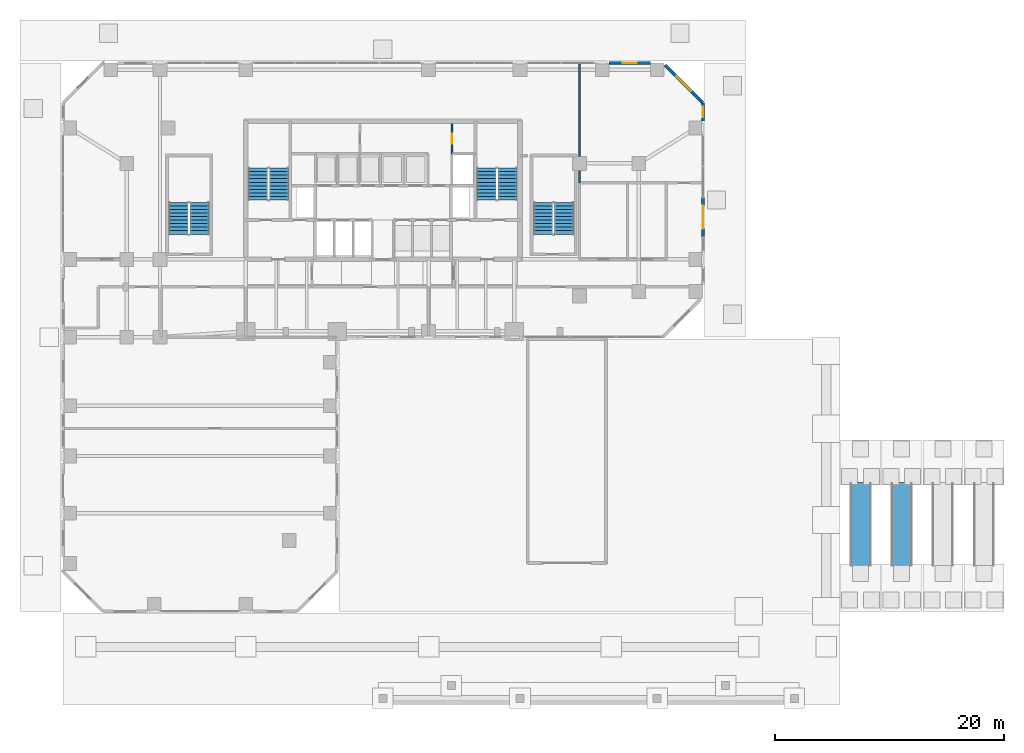
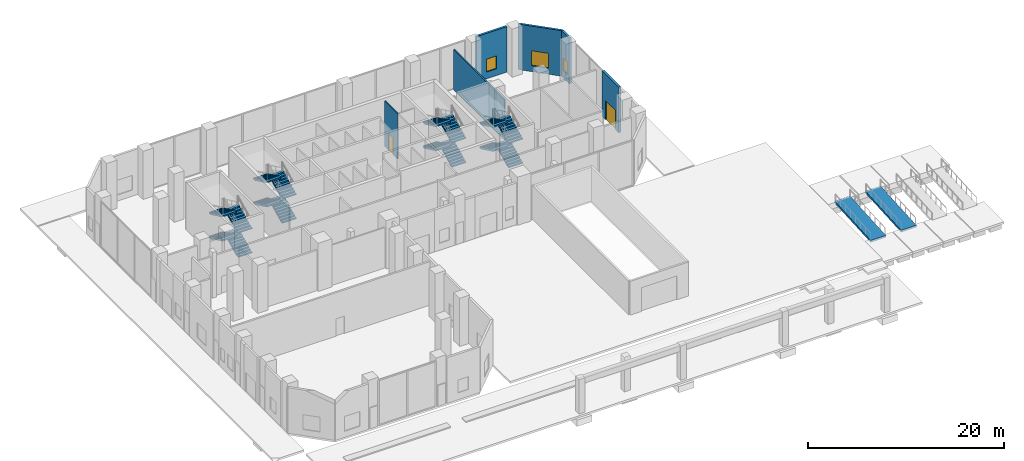
# One storey, part 20 of 26: 16 stair flights, 6 walls, 3 windows, 2 doors, 2 ramp flights, 5 openings, 6 elements without a shape of their own.
"""IFC4 building model written with IfcOpenShell, lengths in metres."""

from ifc_helpers import new_model, si_unit, direction, frame, frame_2d, origin, place, context, subcontext, project, spatial, polyline, rectangle, outline, extrude, material, layer, layer_set, type_object, element, fill, aggregate, save


model = new_model("IFC4")

# Units and contexts
model_context = context("Model", 3, precision=1e-05, world=origin(), true_north=direction((0.0, 1.0)))
body_context = subcontext(model_context, "Body", "Model", "MODEL_VIEW")
ifc_project = project(units=[si_unit("LENGTHUNIT", "METRE"), si_unit("AREAUNIT", "SQUARE_METRE"), si_unit("VOLUMEUNIT", "CUBIC_METRE"), si_unit("PLANEANGLEUNIT", "RADIAN"), si_unit("MASSUNIT", "GRAM", prefix="KILO")], contexts=[model_context])

# Site, building, storey
site_placement = place(None, origin())
site = spatial("IfcSite", under=ifc_project, at=site_placement, CompositionType="ELEMENT")
building_placement = place(site_placement, origin())
building = spatial("IfcBuilding", under=site, at=building_placement, Name="Catumbela Crestline Tower", CompositionType="ELEMENT")
storey_placement = place(building_placement, origin())
storey = spatial("IfcBuildingStorey", under=building, at=storey_placement, Name="L00", CompositionType="ELEMENT", Elevation=0.0)

# Wall, opening, door
ifc_material_1 = material(Name="Angolan grey-ochre granite", Category="masonry")
ifc_layer_1 = layer(ifc_material_1, 0.25, Name="Angolan grey-ochre granite")
ifc_layer_set_1 = layer_set([ifc_layer_1], Name="Angolan grey-ochre granite")
wall_type_1 = type_object("IfcWallType", Name="WE-250", PredefinedType="STANDARD", material=ifc_layer_set_1)
wall_1_placement = place(storey_placement, frame((56.0, 36.2, 0.0), z_axis=(0.0, 0.0, 1.0), x_axis=(0.0, -1.0, 0.0)))
wall_1 = element("IfcWall", 1, at=wall_1_placement, inside=storey, type_object=wall_type_1, Name="L00 Exterior Threshold Portal Wall DR-L00-EXIT-E", PredefinedType="STANDARD", context=body_context, shape_type="SweptSolid", body=[
    extrude(rectangle(XDim=3.4, YDim=0.25, at=frame_2d((1.7, 0.0))), origin(), (0.0, 0.0, 1.0), 5.67),
])
opening_1_placement = place(wall_1_placement, frame((0.7, 0.0, 0.0)))
opening_1 = element("IfcOpeningElement", 2, at=opening_1_placement, cuts=wall_1, Name="Opening DE-04", PredefinedType="OPENING", context=body_context, shape_type="SweptSolid", body=[
    extrude(rectangle(XDim=2.0, YDim=2.4, at=frame_2d((1.0, 1.2))), frame((0.0, 0.135, 0.0), z_axis=(0.0, -1.0, 0.0), x_axis=(1.0, 0.0, 0.0)), (0.0, 0.0, 1.0), 0.27),
])
ifc_material_2 = material(Name="Aluminium alloy AW-6060-T66", Category="aluminium")
door_type_1 = type_object("IfcDoorType", Name="DE-2000", OperationType="NOTDEFINED", PredefinedType="DOOR", material=ifc_material_2)
door_1_placement = place(opening_1_placement, origin())
door_1 = element("IfcDoor", 3, at=door_1_placement, inside=storey, type_object=door_type_1, Name="L00 East Galleria Final Exit Door", OperationType="DOUBLE_DOOR_SINGLE_SWING", OverallHeight=2.4, OverallWidth=2.0, PredefinedType="DOOR", context=body_context, shape_type="SweptSolid", body=[
    extrude(rectangle(XDim=2.0, YDim=2.4, at=frame_2d((1.0, 1.2))), frame((0.0, 0.025, 0.0), z_axis=(0.0, -1.0, 0.0), x_axis=(1.0, 0.0, 0.0)), (0.0, 0.0, 1.0), 0.05),
])
fill(opening_1, door_1)

# Wall, opening, window
wall_2_placement = place(storey_placement, frame((56.0, 42.9, 0.0), z_axis=(0.0, 0.0, 1.0), x_axis=(0.0, 1.0, 0.0)))
wall_2 = element("IfcWall", 4, at=wall_2_placement, inside=storey, type_object=wall_type_1, Name="L00 Granite Punched Window Wall 5-4", PredefinedType="STANDARD", context=body_context, shape_type="SweptSolid", body=[
    extrude(rectangle(XDim=1.6, YDim=0.25, at=frame_2d((0.8, 0.0))), origin(), (0.0, 0.0, 1.0), 5.67),
])
opening_2_placement = place(wall_2_placement, frame((0.35, 0.0, 0.9)))
opening_2 = element("IfcOpeningElement", 5, at=opening_2_placement, cuts=wall_2, Name="Opening WN-03", PredefinedType="OPENING", context=body_context, shape_type="SweptSolid", body=[
    extrude(rectangle(XDim=0.9, YDim=1.55, at=frame_2d((0.45, 0.775))), frame((0.0, 0.135, 0.0), z_axis=(0.0, -1.0, 0.0), x_axis=(1.0, 0.0, 0.0)), (0.0, 0.0, 1.0), 0.27),
])
ifc_material_3 = material(Name="Low-E laminated solar-control double glazing", Category="glass")
window_type_1 = type_object("IfcWindowType", Name="WO-0900", PartitioningType="SINGLE_PANEL", PredefinedType="WINDOW", material=ifc_material_3)
window_1_placement = place(opening_2_placement, origin())
window_1 = element("IfcWindow", 6, at=window_1_placement, inside=storey, type_object=window_type_1, Name="L00 Facade Vision Window 14", OverallHeight=1.55, OverallWidth=0.9, PartitioningType="SINGLE_PANEL", PredefinedType="WINDOW", context=body_context, shape_type="SweptSolid", body=[
    extrude(rectangle(XDim=0.9, YDim=1.55, at=frame_2d((0.45, 0.775))), frame((0.0, 0.03, 0.0), z_axis=(0.0, -1.0, 0.0), x_axis=(1.0, 0.0, 0.0)), (0.0, 0.0, 1.0), 0.06),
])
fill(opening_2, window_1)

wall_3_placement = place(storey_placement, frame((56.0, 44.5, 0.0), z_axis=(0.0, 0.0, 1.0), x_axis=(-0.707106781187, 0.707106781187, 0.0)))
wall_3 = element("IfcWall", 7, at=wall_3_placement, inside=storey, type_object=wall_type_1, Name="L00 Granite Punched Window Wall 6-1", PredefinedType="STANDARD", context=body_context, shape_type="SweptSolid", body=[
    extrude(rectangle(XDim=4.6833, YDim=0.25, at=frame_2d((2.3416, 0.0))), origin(), (0.0, 0.0, 1.0), 5.67),
])
opening_3_placement = place(wall_3_placement, frame((1.4417, 0.0, 0.75)))
opening_3 = element("IfcOpeningElement", 8, at=opening_3_placement, cuts=wall_3, Name="Opening WN-01", PredefinedType="OPENING", context=body_context, shape_type="SweptSolid", body=[
    extrude(rectangle(XDim=1.8, YDim=1.85, at=frame_2d((0.9, 0.925))), frame((0.0, 0.135, 0.0), z_axis=(0.0, -1.0, 0.0), x_axis=(1.0, 0.0, 0.0)), (0.0, 0.0, 1.0), 0.27),
])
window_type_2 = type_object("IfcWindowType", Name="WF-1800", PartitioningType="SINGLE_PANEL", PredefinedType="WINDOW", material=ifc_material_3)
window_2_placement = place(opening_3_placement, origin())
window_2 = element("IfcWindow", 9, at=window_2_placement, inside=storey, type_object=window_type_2, Name="L00 Facade Vision Window 15", OverallHeight=1.85, OverallWidth=1.8, PartitioningType="SINGLE_PANEL", PredefinedType="WINDOW", context=body_context, shape_type="SweptSolid", body=[
    extrude(rectangle(XDim=1.8, YDim=1.85, at=frame_2d((0.9, 0.925))), frame((0.0, 0.03, 0.0), z_axis=(0.0, -1.0, 0.0), x_axis=(1.0, 0.0, 0.0)), (0.0, 0.0, 1.0), 0.06),
])
fill(opening_3, window_2)

wall_4_placement = place(storey_placement, frame((51.4, 48.0, 0.0), z_axis=(0.0, 0.0, 1.0), x_axis=(-1.0, 0.0, 0.0)))
wall_4 = element("IfcWall", 10, at=wall_4_placement, inside=storey, type_object=wall_type_1, Name="L00 Granite Punched Window Wall 7-1", PredefinedType="STANDARD", context=body_context, shape_type="SweptSolid", body=[
    extrude(rectangle(XDim=3.6, YDim=0.25, at=frame_2d((1.8, 0.0))), origin(), (0.0, 0.0, 1.0), 5.67),
])
opening_4_placement = place(wall_4_placement, frame((1.2, 0.0, 0.85)))
opening_4 = element("IfcOpeningElement", 11, at=opening_4_placement, cuts=wall_4, Name="Opening WN-02", PredefinedType="OPENING", context=body_context, shape_type="SweptSolid", body=[
    extrude(rectangle(XDim=1.2, YDim=1.6, at=frame_2d((0.6, 0.8))), frame((0.0, 0.135, 0.0), z_axis=(0.0, -1.0, 0.0), x_axis=(1.0, 0.0, 0.0)), (0.0, 0.0, 1.0), 0.27),
])
window_type_3 = type_object("IfcWindowType", Name="WO-1200", PartitioningType="SINGLE_PANEL", PredefinedType="WINDOW", material=ifc_material_3)
window_3_placement = place(opening_4_placement, origin())
window_3 = element("IfcWindow", 12, at=window_3_placement, inside=storey, type_object=window_type_3, Name="L00 Facade Vision Window 16", OverallHeight=1.6, OverallWidth=1.2, PartitioningType="SINGLE_PANEL", PredefinedType="WINDOW", context=body_context, shape_type="SweptSolid", body=[
    extrude(rectangle(XDim=1.2, YDim=1.6, at=frame_2d((0.6, 0.8))), frame((0.0, 0.03, 0.0), z_axis=(0.0, -1.0, 0.0), x_axis=(1.0, 0.0, 0.0)), (0.0, 0.0, 1.0), 0.06),
])
fill(opening_4, window_3)

# Wall, opening, door
ifc_material_4 = material(Name="Acoustic gypsum and mineral-wool partition")
ifc_layer_2 = layer(ifc_material_4, 0.15, Name="Acoustic gypsum and mineral-wool partition")
ifc_layer_set_2 = layer_set([ifc_layer_2], Name="Acoustic gypsum and mineral-wool partition")
wall_type_2 = type_object("IfcWallType", Name="WP-150", PredefinedType="PARTITIONING", material=ifc_layer_set_2)
wall_5_placement = place(storey_placement, frame((34.05, 40.05, 0.0), z_axis=(0.0, 0.0, 1.0), x_axis=(0.0, 1.0, 0.0)))
wall_5 = element("IfcWall", 13, at=wall_5_placement, inside=storey, type_object=wall_type_2, Name="L00 Interior Partition PW-L00-CR-EW", PredefinedType="PARTITIONING", context=body_context, shape_type="SweptSolid", body=[
    extrude(rectangle(XDim=2.63, YDim=0.15, at=frame_2d((1.315, 0.0))), origin(), (0.0, 0.0, 1.0), 5.67),
])
opening_5_placement = place(wall_5_placement, frame((0.865, 0.0, 0.0)))
opening_5 = element("IfcOpeningElement", 14, at=opening_5_placement, cuts=wall_5, Name="Opening DF9-090", PredefinedType="OPENING", context=body_context, shape_type="SweptSolid", body=[
    extrude(rectangle(XDim=0.9, YDim=2.15, at=frame_2d((0.45, 1.075))), frame((0.0, 0.085, 0.0), z_axis=(0.0, -1.0, 0.0), x_axis=(1.0, 0.0, 0.0)), (0.0, 0.0, 1.0), 0.17),
])
ifc_material_5 = material(Name="Stainless steel EN 1.4401", Category="steel")
door_type_2 = type_object("IfcDoorType", Name="DF9-090", OperationType="NOTDEFINED", PredefinedType="DOOR", material=ifc_material_5)
door_2_placement = place(opening_5_placement, origin())
door_2 = element("IfcDoor", 15, at=door_2_placement, inside=storey, type_object=door_type_2, Name="L00 Interior Door DR-L00-CREAST", OperationType="SINGLE_SWING_RIGHT", OverallHeight=2.15, OverallWidth=0.9, PredefinedType="DOOR", context=body_context, shape_type="SweptSolid", body=[
    extrude(rectangle(XDim=0.9, YDim=2.15, at=frame_2d((0.45, 1.075))), frame((0.0, 0.025, 0.0), z_axis=(0.0, -1.0, 0.0), x_axis=(1.0, 0.0, 0.0)), (0.0, 0.0, 1.0), 0.05),
])
fill(opening_5, door_2)

# Wall
wall_6_placement = place(storey_placement, frame((45.2, 37.5, 0.0), z_axis=(0.0, 0.0, 1.0), x_axis=(0.0, 1.0, 0.0)))
element("IfcWall", 16, at=wall_6_placement, inside=storey, type_object=wall_type_2, Name="L00 Interior Partition PW-L00-NESVW", PredefinedType="PARTITIONING", context=body_context, shape_type="SweptSolid", body=[
    extrude(rectangle(XDim=10.4, YDim=0.15, at=frame_2d((5.2, 0.0))), origin(), (0.0, 0.0, 1.0), 5.02),
])

# Stair, stair flights
ifc_material_6 = material(Name="Concrete C45/55", Category="concrete")
stair_type = type_object("IfcStairType", Name="ST-DLG", PredefinedType="HALF_TURN_STAIR", material=ifc_material_6)
stair_1_placement = place(storey_placement, origin())
stair_1 = element("IfcStair", 17, at=stair_1_placement, inside=storey, type_object=stair_type, Name="L00 West Core Pressurised Exit Stair ST-01", PredefinedType="HALF_TURN_STAIR")
stair_flight_type = type_object("IfcStairFlightType", Name="SF-1500", PredefinedType="STRAIGHT", material=ifc_material_6)
stair_flight_1_placement = place(storey_placement, frame((18.92, 36.0, 0.0), z_axis=(0.0, 0.0, 1.0), x_axis=(0.0, 1.0, 0.0)))
stair_flight_1 = element("IfcStairFlight", 18, at=stair_flight_1_placement, type_object=stair_flight_type, Name="ST-01 flight 1", NumberOfRisers=10, NumberOfTreads=9, PredefinedType="STRAIGHT", RiserHeight=0.15, TreadLength=0.31, context=body_context, shape_type="SweptSolid", body=[
    extrude(outline(polyline([(0.0, 0.0), (0.0, 0.15), (0.31, 0.15), (0.31, 0.3), (0.62, 0.3), (0.62, 0.45), (0.93, 0.45), (0.93, 0.6), (1.24, 0.6), (1.24, 0.75), (1.55, 0.75), (1.55, 0.9), (1.86, 0.9), (1.86, 1.05), (2.17, 1.05), (2.17, 1.2), (2.48, 1.2), (2.48, 1.35), (2.79, 1.35), (2.79, 1.5), (2.79, 1.1723), (0.3673, 0.0), (0.0, 0.0)])), frame((0.0, 0.83, 0.0), z_axis=(0.0, -1.0, 0.0), x_axis=(1.0, 0.0, 0.0)), (0.0, 0.0, 1.0), 1.66),
])
stair_flight_2_placement = place(storey_placement, frame((17.08, 38.79, 1.5), z_axis=(0.0, 0.0, 1.0), x_axis=(0.0, -1.0, 0.0)))
stair_flight_2 = element("IfcStairFlight", 19, at=stair_flight_2_placement, type_object=stair_flight_type, Name="ST-01 flight 2", NumberOfRisers=10, NumberOfTreads=9, PredefinedType="STRAIGHT", RiserHeight=0.15, TreadLength=0.31, context=body_context, shape_type="SweptSolid", body=[
    extrude(outline(polyline([(0.0, 0.0), (0.0, 0.15), (0.31, 0.15), (0.31, 0.3), (0.62, 0.3), (0.62, 0.45), (0.93, 0.45), (0.93, 0.6), (1.24, 0.6), (1.24, 0.75), (1.55, 0.75), (1.55, 0.9), (1.86, 0.9), (1.86, 1.05), (2.17, 1.05), (2.17, 1.2), (2.48, 1.2), (2.48, 1.35), (2.79, 1.35), (2.79, 1.5), (2.79, 1.1723), (0.3673, 0.0), (0.0, 0.0)])), frame((0.0, 0.83, 0.0), z_axis=(0.0, -1.0, 0.0), x_axis=(1.0, 0.0, 0.0)), (0.0, 0.0, 1.0), 1.66),
])
stair_flight_3_placement = place(storey_placement, frame((18.92, 36.0, 3.0), z_axis=(0.0, 0.0, 1.0), x_axis=(0.0, 1.0, 0.0)))
stair_flight_3 = element("IfcStairFlight", 20, at=stair_flight_3_placement, type_object=stair_flight_type, Name="ST-01 flight 3", NumberOfRisers=10, NumberOfTreads=9, PredefinedType="STRAIGHT", RiserHeight=0.15, TreadLength=0.31, context=body_context, shape_type="SweptSolid", body=[
    extrude(outline(polyline([(0.0, 0.0), (0.0, 0.15), (0.31, 0.15), (0.31, 0.3), (0.62, 0.3), (0.62, 0.45), (0.93, 0.45), (0.93, 0.6), (1.24, 0.6), (1.24, 0.75), (1.55, 0.75), (1.55, 0.9), (1.86, 0.9), (1.86, 1.05), (2.17, 1.05), (2.17, 1.2), (2.48, 1.2), (2.48, 1.35), (2.79, 1.35), (2.79, 1.5), (2.79, 1.1723), (0.3673, 0.0), (0.0, 0.0)])), frame((0.0, 0.83, 0.0), z_axis=(0.0, -1.0, 0.0), x_axis=(1.0, 0.0, 0.0)), (0.0, 0.0, 1.0), 1.66),
])
stair_flight_4_placement = place(storey_placement, frame((17.08, 38.79, 4.5), z_axis=(0.0, 0.0, 1.0), x_axis=(0.0, -1.0, 0.0)))
stair_flight_4 = element("IfcStairFlight", 21, at=stair_flight_4_placement, type_object=stair_flight_type, Name="ST-01 flight 4", NumberOfRisers=10, NumberOfTreads=9, PredefinedType="STRAIGHT", RiserHeight=0.15, TreadLength=0.31, context=body_context, shape_type="SweptSolid", body=[
    extrude(outline(polyline([(0.0, 0.0), (0.0, 0.15), (0.31, 0.15), (0.31, 0.3), (0.62, 0.3), (0.62, 0.45), (0.93, 0.45), (0.93, 0.6), (1.24, 0.6), (1.24, 0.75), (1.55, 0.75), (1.55, 0.9), (1.86, 0.9), (1.86, 1.05), (2.17, 1.05), (2.17, 1.2), (2.48, 1.2), (2.48, 1.35), (2.79, 1.35), (2.79, 1.5), (2.79, 1.1723), (0.3673, 0.0), (0.0, 0.0)])), frame((0.0, 0.83, 0.0), z_axis=(0.0, -1.0, 0.0), x_axis=(1.0, 0.0, 0.0)), (0.0, 0.0, 1.0), 1.66),
])
aggregate(stair_1, [stair_flight_1, stair_flight_2, stair_flight_3, stair_flight_4])

stair_2_placement = place(storey_placement, origin())
stair_2 = element("IfcStair", 22, at=stair_2_placement, inside=storey, type_object=stair_type, Name="L00 East Core Pressurised Exit Stair ST-02", PredefinedType="HALF_TURN_STAIR")
stair_flight_5_placement = place(storey_placement, frame((38.92, 36.0, 0.0), z_axis=(0.0, 0.0, 1.0), x_axis=(0.0, 1.0, 0.0)))
stair_flight_5 = element("IfcStairFlight", 23, at=stair_flight_5_placement, type_object=stair_flight_type, Name="ST-02 flight 1", NumberOfRisers=10, NumberOfTreads=9, PredefinedType="STRAIGHT", RiserHeight=0.15, TreadLength=0.31, context=body_context, shape_type="SweptSolid", body=[
    extrude(outline(polyline([(0.0, 0.0), (0.0, 0.15), (0.31, 0.15), (0.31, 0.3), (0.62, 0.3), (0.62, 0.45), (0.93, 0.45), (0.93, 0.6), (1.24, 0.6), (1.24, 0.75), (1.55, 0.75), (1.55, 0.9), (1.86, 0.9), (1.86, 1.05), (2.17, 1.05), (2.17, 1.2), (2.48, 1.2), (2.48, 1.35), (2.79, 1.35), (2.79, 1.5), (2.79, 1.1723), (0.3673, 0.0), (0.0, 0.0)])), frame((0.0, 0.83, 0.0), z_axis=(0.0, -1.0, 0.0), x_axis=(1.0, 0.0, 0.0)), (0.0, 0.0, 1.0), 1.66),
])
stair_flight_6_placement = place(storey_placement, frame((37.08, 38.79, 1.5), z_axis=(0.0, 0.0, 1.0), x_axis=(0.0, -1.0, 0.0)))
stair_flight_6 = element("IfcStairFlight", 24, at=stair_flight_6_placement, type_object=stair_flight_type, Name="ST-02 flight 2", NumberOfRisers=10, NumberOfTreads=9, PredefinedType="STRAIGHT", RiserHeight=0.15, TreadLength=0.31, context=body_context, shape_type="SweptSolid", body=[
    extrude(outline(polyline([(0.0, 0.0), (0.0, 0.15), (0.31, 0.15), (0.31, 0.3), (0.62, 0.3), (0.62, 0.45), (0.93, 0.45), (0.93, 0.6), (1.24, 0.6), (1.24, 0.75), (1.55, 0.75), (1.55, 0.9), (1.86, 0.9), (1.86, 1.05), (2.17, 1.05), (2.17, 1.2), (2.48, 1.2), (2.48, 1.35), (2.79, 1.35), (2.79, 1.5), (2.79, 1.1723), (0.3673, 0.0), (0.0, 0.0)])), frame((0.0, 0.83, 0.0), z_axis=(0.0, -1.0, 0.0), x_axis=(1.0, 0.0, 0.0)), (0.0, 0.0, 1.0), 1.66),
])
stair_flight_7_placement = place(storey_placement, frame((38.92, 36.0, 3.0), z_axis=(0.0, 0.0, 1.0), x_axis=(0.0, 1.0, 0.0)))
stair_flight_7 = element("IfcStairFlight", 25, at=stair_flight_7_placement, type_object=stair_flight_type, Name="ST-02 flight 3", NumberOfRisers=10, NumberOfTreads=9, PredefinedType="STRAIGHT", RiserHeight=0.15, TreadLength=0.31, context=body_context, shape_type="SweptSolid", body=[
    extrude(outline(polyline([(0.0, 0.0), (0.0, 0.15), (0.31, 0.15), (0.31, 0.3), (0.62, 0.3), (0.62, 0.45), (0.93, 0.45), (0.93, 0.6), (1.24, 0.6), (1.24, 0.75), (1.55, 0.75), (1.55, 0.9), (1.86, 0.9), (1.86, 1.05), (2.17, 1.05), (2.17, 1.2), (2.48, 1.2), (2.48, 1.35), (2.79, 1.35), (2.79, 1.5), (2.79, 1.1723), (0.3673, 0.0), (0.0, 0.0)])), frame((0.0, 0.83, 0.0), z_axis=(0.0, -1.0, 0.0), x_axis=(1.0, 0.0, 0.0)), (0.0, 0.0, 1.0), 1.66),
])
stair_flight_8_placement = place(storey_placement, frame((37.08, 38.79, 4.5), z_axis=(0.0, 0.0, 1.0), x_axis=(0.0, -1.0, 0.0)))
stair_flight_8 = element("IfcStairFlight", 26, at=stair_flight_8_placement, type_object=stair_flight_type, Name="ST-02 flight 4", NumberOfRisers=10, NumberOfTreads=9, PredefinedType="STRAIGHT", RiserHeight=0.15, TreadLength=0.31, context=body_context, shape_type="SweptSolid", body=[
    extrude(outline(polyline([(0.0, 0.0), (0.0, 0.15), (0.31, 0.15), (0.31, 0.3), (0.62, 0.3), (0.62, 0.45), (0.93, 0.45), (0.93, 0.6), (1.24, 0.6), (1.24, 0.75), (1.55, 0.75), (1.55, 0.9), (1.86, 0.9), (1.86, 1.05), (2.17, 1.05), (2.17, 1.2), (2.48, 1.2), (2.48, 1.35), (2.79, 1.35), (2.79, 1.5), (2.79, 1.1723), (0.3673, 0.0), (0.0, 0.0)])), frame((0.0, 0.83, 0.0), z_axis=(0.0, -1.0, 0.0), x_axis=(1.0, 0.0, 0.0)), (0.0, 0.0, 1.0), 1.66),
])
aggregate(stair_2, [stair_flight_5, stair_flight_6, stair_flight_7, stair_flight_8])

stair_3_placement = place(storey_placement, origin())
stair_3 = element("IfcStair", 27, at=stair_3_placement, inside=storey, type_object=stair_type, Name="L00 South-West Podium Exit Stair ST-03", PredefinedType="HALF_TURN_STAIR")
stair_flight_9_placement = place(storey_placement, frame((11.97, 33.0, 0.0), z_axis=(0.0, 0.0, 1.0), x_axis=(0.0, 1.0, 0.0)))
stair_flight_9 = element("IfcStairFlight", 28, at=stair_flight_9_placement, type_object=stair_flight_type, Name="ST-03 flight 1", NumberOfRisers=10, NumberOfTreads=9, PredefinedType="STRAIGHT", RiserHeight=0.15, TreadLength=0.31, context=body_context, shape_type="SweptSolid", body=[
    extrude(outline(polyline([(0.0, 0.0), (0.0, 0.15), (0.31, 0.15), (0.31, 0.3), (0.62, 0.3), (0.62, 0.45), (0.93, 0.45), (0.93, 0.6), (1.24, 0.6), (1.24, 0.75), (1.55, 0.75), (1.55, 0.9), (1.86, 0.9), (1.86, 1.05), (2.17, 1.05), (2.17, 1.2), (2.48, 1.2), (2.48, 1.35), (2.79, 1.35), (2.79, 1.5), (2.79, 1.1723), (0.3673, 0.0), (0.0, 0.0)])), frame((0.0, 0.83, 0.0), z_axis=(0.0, -1.0, 0.0), x_axis=(1.0, 0.0, 0.0)), (0.0, 0.0, 1.0), 1.66),
])
stair_flight_10_placement = place(storey_placement, frame((10.13, 35.79, 1.5), z_axis=(0.0, 0.0, 1.0), x_axis=(0.0, -1.0, 0.0)))
stair_flight_10 = element("IfcStairFlight", 29, at=stair_flight_10_placement, type_object=stair_flight_type, Name="ST-03 flight 2", NumberOfRisers=10, NumberOfTreads=9, PredefinedType="STRAIGHT", RiserHeight=0.15, TreadLength=0.31, context=body_context, shape_type="SweptSolid", body=[
    extrude(outline(polyline([(0.0, 0.0), (0.0, 0.15), (0.31, 0.15), (0.31, 0.3), (0.62, 0.3), (0.62, 0.45), (0.93, 0.45), (0.93, 0.6), (1.24, 0.6), (1.24, 0.75), (1.55, 0.75), (1.55, 0.9), (1.86, 0.9), (1.86, 1.05), (2.17, 1.05), (2.17, 1.2), (2.48, 1.2), (2.48, 1.35), (2.79, 1.35), (2.79, 1.5), (2.79, 1.1723), (0.3673, 0.0), (0.0, 0.0)])), frame((0.0, 0.83, 0.0), z_axis=(0.0, -1.0, 0.0), x_axis=(1.0, 0.0, 0.0)), (0.0, 0.0, 1.0), 1.66),
])
stair_flight_11_placement = place(storey_placement, frame((11.97, 33.0, 3.0), z_axis=(0.0, 0.0, 1.0), x_axis=(0.0, 1.0, 0.0)))
stair_flight_11 = element("IfcStairFlight", 30, at=stair_flight_11_placement, type_object=stair_flight_type, Name="ST-03 flight 3", NumberOfRisers=10, NumberOfTreads=9, PredefinedType="STRAIGHT", RiserHeight=0.15, TreadLength=0.31, context=body_context, shape_type="SweptSolid", body=[
    extrude(outline(polyline([(0.0, 0.0), (0.0, 0.15), (0.31, 0.15), (0.31, 0.3), (0.62, 0.3), (0.62, 0.45), (0.93, 0.45), (0.93, 0.6), (1.24, 0.6), (1.24, 0.75), (1.55, 0.75), (1.55, 0.9), (1.86, 0.9), (1.86, 1.05), (2.17, 1.05), (2.17, 1.2), (2.48, 1.2), (2.48, 1.35), (2.79, 1.35), (2.79, 1.5), (2.79, 1.1723), (0.3673, 0.0), (0.0, 0.0)])), frame((0.0, 0.83, 0.0), z_axis=(0.0, -1.0, 0.0), x_axis=(1.0, 0.0, 0.0)), (0.0, 0.0, 1.0), 1.66),
])
stair_flight_12_placement = place(storey_placement, frame((10.13, 35.79, 4.5), z_axis=(0.0, 0.0, 1.0), x_axis=(0.0, -1.0, 0.0)))
stair_flight_12 = element("IfcStairFlight", 31, at=stair_flight_12_placement, type_object=stair_flight_type, Name="ST-03 flight 4", NumberOfRisers=10, NumberOfTreads=9, PredefinedType="STRAIGHT", RiserHeight=0.15, TreadLength=0.31, context=body_context, shape_type="SweptSolid", body=[
    extrude(outline(polyline([(0.0, 0.0), (0.0, 0.15), (0.31, 0.15), (0.31, 0.3), (0.62, 0.3), (0.62, 0.45), (0.93, 0.45), (0.93, 0.6), (1.24, 0.6), (1.24, 0.75), (1.55, 0.75), (1.55, 0.9), (1.86, 0.9), (1.86, 1.05), (2.17, 1.05), (2.17, 1.2), (2.48, 1.2), (2.48, 1.35), (2.79, 1.35), (2.79, 1.5), (2.79, 1.1723), (0.3673, 0.0), (0.0, 0.0)])), frame((0.0, 0.83, 0.0), z_axis=(0.0, -1.0, 0.0), x_axis=(1.0, 0.0, 0.0)), (0.0, 0.0, 1.0), 1.66),
])
aggregate(stair_3, [stair_flight_9, stair_flight_10, stair_flight_11, stair_flight_12])

stair_4_placement = place(storey_placement, origin())
stair_4 = element("IfcStair", 32, at=stair_4_placement, inside=storey, type_object=stair_type, Name="L00 East Galleria Podium Exit Stair ST-04", PredefinedType="HALF_TURN_STAIR")
stair_flight_13_placement = place(storey_placement, frame((43.87, 33.0, 0.0), z_axis=(0.0, 0.0, 1.0), x_axis=(0.0, 1.0, 0.0)))
stair_flight_13 = element("IfcStairFlight", 33, at=stair_flight_13_placement, type_object=stair_flight_type, Name="ST-04 flight 1", NumberOfRisers=10, NumberOfTreads=9, PredefinedType="STRAIGHT", RiserHeight=0.15, TreadLength=0.31, context=body_context, shape_type="SweptSolid", body=[
    extrude(outline(polyline([(0.0, 0.0), (0.0, 0.15), (0.31, 0.15), (0.31, 0.3), (0.62, 0.3), (0.62, 0.45), (0.93, 0.45), (0.93, 0.6), (1.24, 0.6), (1.24, 0.75), (1.55, 0.75), (1.55, 0.9), (1.86, 0.9), (1.86, 1.05), (2.17, 1.05), (2.17, 1.2), (2.48, 1.2), (2.48, 1.35), (2.79, 1.35), (2.79, 1.5), (2.79, 1.1723), (0.3673, 0.0), (0.0, 0.0)])), frame((0.0, 0.83, 0.0), z_axis=(0.0, -1.0, 0.0), x_axis=(1.0, 0.0, 0.0)), (0.0, 0.0, 1.0), 1.66),
])
stair_flight_14_placement = place(storey_placement, frame((42.03, 35.79, 1.5), z_axis=(0.0, 0.0, 1.0), x_axis=(0.0, -1.0, 0.0)))
stair_flight_14 = element("IfcStairFlight", 34, at=stair_flight_14_placement, type_object=stair_flight_type, Name="ST-04 flight 2", NumberOfRisers=10, NumberOfTreads=9, PredefinedType="STRAIGHT", RiserHeight=0.15, TreadLength=0.31, context=body_context, shape_type="SweptSolid", body=[
    extrude(outline(polyline([(0.0, 0.0), (0.0, 0.15), (0.31, 0.15), (0.31, 0.3), (0.62, 0.3), (0.62, 0.45), (0.93, 0.45), (0.93, 0.6), (1.24, 0.6), (1.24, 0.75), (1.55, 0.75), (1.55, 0.9), (1.86, 0.9), (1.86, 1.05), (2.17, 1.05), (2.17, 1.2), (2.48, 1.2), (2.48, 1.35), (2.79, 1.35), (2.79, 1.5), (2.79, 1.1723), (0.3673, 0.0), (0.0, 0.0)])), frame((0.0, 0.83, 0.0), z_axis=(0.0, -1.0, 0.0), x_axis=(1.0, 0.0, 0.0)), (0.0, 0.0, 1.0), 1.66),
])
stair_flight_15_placement = place(storey_placement, frame((43.87, 33.0, 3.0), z_axis=(0.0, 0.0, 1.0), x_axis=(0.0, 1.0, 0.0)))
stair_flight_15 = element("IfcStairFlight", 35, at=stair_flight_15_placement, type_object=stair_flight_type, Name="ST-04 flight 3", NumberOfRisers=10, NumberOfTreads=9, PredefinedType="STRAIGHT", RiserHeight=0.15, TreadLength=0.31, context=body_context, shape_type="SweptSolid", body=[
    extrude(outline(polyline([(0.0, 0.0), (0.0, 0.15), (0.31, 0.15), (0.31, 0.3), (0.62, 0.3), (0.62, 0.45), (0.93, 0.45), (0.93, 0.6), (1.24, 0.6), (1.24, 0.75), (1.55, 0.75), (1.55, 0.9), (1.86, 0.9), (1.86, 1.05), (2.17, 1.05), (2.17, 1.2), (2.48, 1.2), (2.48, 1.35), (2.79, 1.35), (2.79, 1.5), (2.79, 1.1723), (0.3673, 0.0), (0.0, 0.0)])), frame((0.0, 0.83, 0.0), z_axis=(0.0, -1.0, 0.0), x_axis=(1.0, 0.0, 0.0)), (0.0, 0.0, 1.0), 1.66),
])
stair_flight_16_placement = place(storey_placement, frame((42.03, 35.79, 4.5), z_axis=(0.0, 0.0, 1.0), x_axis=(0.0, -1.0, 0.0)))
stair_flight_16 = element("IfcStairFlight", 36, at=stair_flight_16_placement, type_object=stair_flight_type, Name="ST-04 flight 4", NumberOfRisers=10, NumberOfTreads=9, PredefinedType="STRAIGHT", RiserHeight=0.15, TreadLength=0.31, context=body_context, shape_type="SweptSolid", body=[
    extrude(outline(polyline([(0.0, 0.0), (0.0, 0.15), (0.31, 0.15), (0.31, 0.3), (0.62, 0.3), (0.62, 0.45), (0.93, 0.45), (0.93, 0.6), (1.24, 0.6), (1.24, 0.75), (1.55, 0.75), (1.55, 0.9), (1.86, 0.9), (1.86, 1.05), (2.17, 1.05), (2.17, 1.2), (2.48, 1.2), (2.48, 1.35), (2.79, 1.35), (2.79, 1.5), (2.79, 1.1723), (0.3673, 0.0), (0.0, 0.0)])), frame((0.0, 0.83, 0.0), z_axis=(0.0, -1.0, 0.0), x_axis=(1.0, 0.0, 0.0)), (0.0, 0.0, 1.0), 1.66),
])
aggregate(stair_4, [stair_flight_13, stair_flight_14, stair_flight_15, stair_flight_16])

# Ramp, ramp flight
ifc_material_7 = material(Name="Concrete C40/50", Category="concrete")
ramp_type = type_object("IfcRampType", Name="RP-300E", PredefinedType="STRAIGHT_RUN_RAMP", material=ifc_material_7)
ramp_1_placement = place(storey_placement, origin())
ramp_1 = element("IfcRamp", 37, at=ramp_1_placement, inside=storey, type_object=ramp_type, Name="L00 Accessible 1:16 Waterfront Plaza Ramp 01", PredefinedType="STRAIGHT_RUN_RAMP")
ifc_layer_3 = layer(ifc_material_7, 0.25, Name="Concrete C40/50")
ifc_layer_set_3 = layer_set([ifc_layer_3], Name="Concrete C40/50")
ramp_flight_type = type_object("IfcRampFlightType", Name="RF-PEDE", PredefinedType="STRAIGHT", material=ifc_layer_set_3)
ramp_flight_1_placement = place(storey_placement, frame((69.8, 3.92, -0.45), z_axis=(0.0, 0.0, 1.0), x_axis=(0.0, 1.0, 0.0)))
ramp_flight_1 = element("IfcRampFlight", 38, at=ramp_flight_1_placement, type_object=ramp_flight_type, Name="L00 Accessible Plaza Ramp Flight 01", PredefinedType="STRAIGHT", context=body_context, shape_type="SweptSolid", body=[
    extrude(outline(polyline([(0.0, 0.0), (0.0, -0.25), (7.36, 0.2), (7.36, 0.45), (0.0, 0.0)])), frame((0.0, 0.9, 0.0), z_axis=(0.0, -1.0, 0.0), x_axis=(1.0, 0.0, 0.0)), (0.0, 0.0, 1.0), 1.8),
])
aggregate(ramp_1, [ramp_flight_1])

ramp_2_placement = place(storey_placement, origin())
ramp_2 = element("IfcRamp", 39, at=ramp_2_placement, inside=storey, type_object=ramp_type, Name="L00 Accessible 1:16 Waterfront Plaza Ramp 02", PredefinedType="STRAIGHT_RUN_RAMP")
ramp_flight_2_placement = place(storey_placement, frame((73.4, 3.92, -0.45), z_axis=(0.0, 0.0, 1.0), x_axis=(0.0, 1.0, 0.0)))
ramp_flight_2 = element("IfcRampFlight", 40, at=ramp_flight_2_placement, type_object=ramp_flight_type, Name="L00 Accessible Plaza Ramp Flight 02", PredefinedType="STRAIGHT", context=body_context, shape_type="SweptSolid", body=[
    extrude(outline(polyline([(0.0, 0.0), (0.0, -0.25), (7.36, 0.2), (7.36, 0.45), (0.0, 0.0)])), frame((0.0, 0.9, 0.0), z_axis=(0.0, -1.0, 0.0), x_axis=(1.0, 0.0, 0.0)), (0.0, 0.0, 1.0), 1.8),
])
aggregate(ramp_2, [ramp_flight_2])

save(model, "model.ifc")
